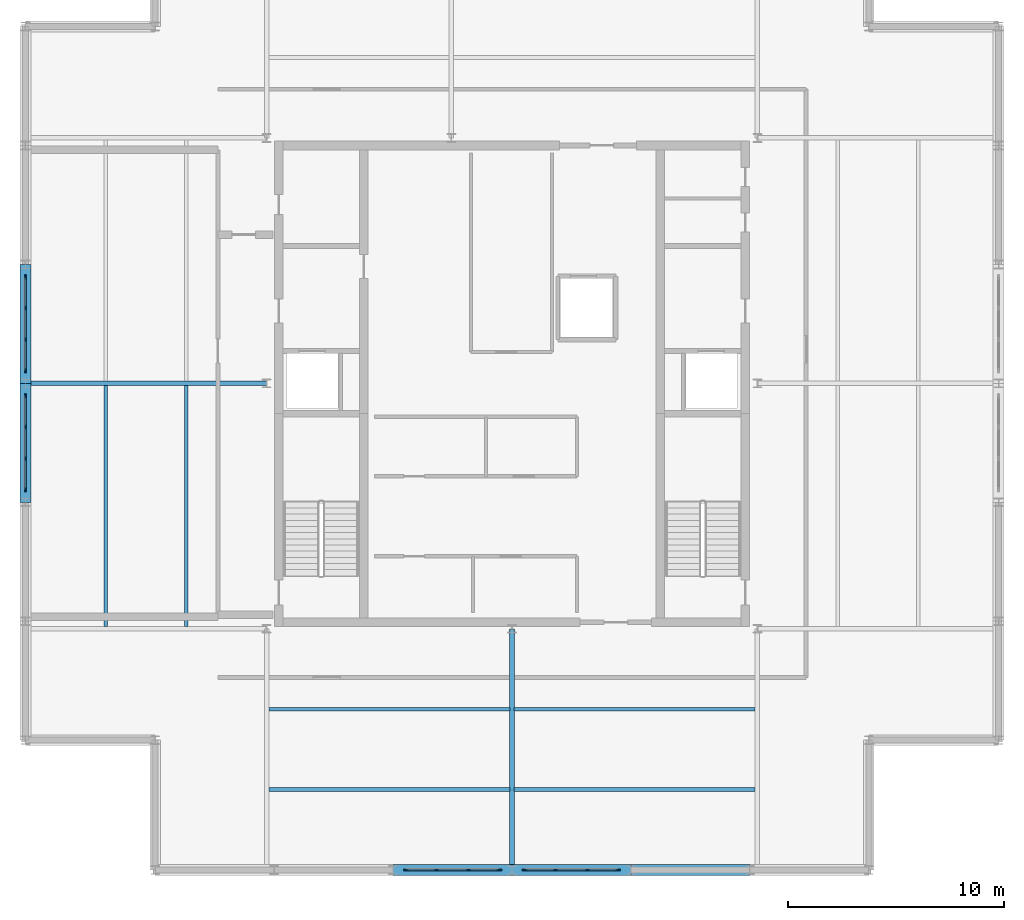
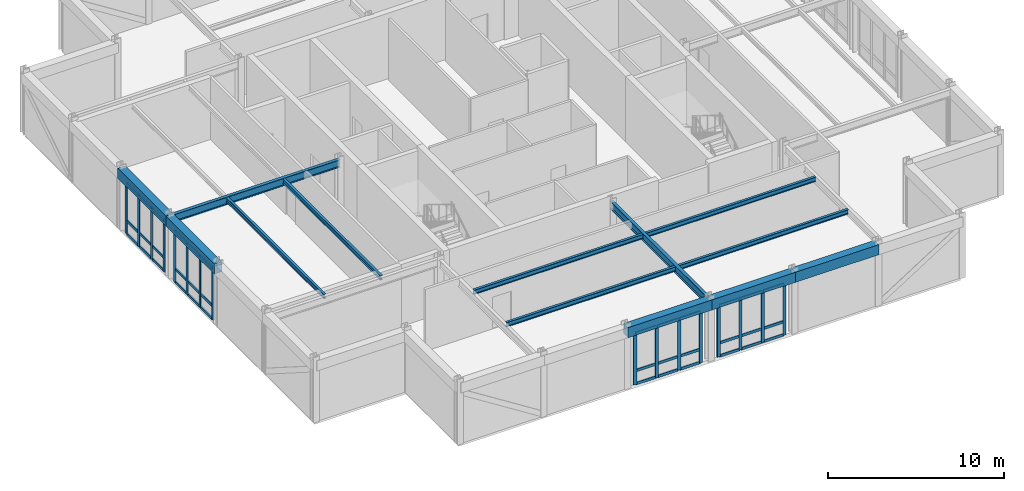
# One storey, part 2 of 9: 52 members, 13 beams, 4 elements without a shape of their own.
"""IFC4 building model written with IfcOpenShell, lengths in metres."""

from ifc_helpers import new_model, si_unit, direction, frame, origin, origin_2d, place, context, subcontext, project, spatial, rectangle, i_section, extrude, material, layer, layer_set, material_profile, profile_set, type_object, element, aggregate, save


model = new_model("IFC4")

# Units and contexts
model_context = context("Model", 3, precision=1e-05, world=origin(), true_north=direction((0.0, 1.0)))
body_context = subcontext(model_context, "Body", "Model", "MODEL_VIEW")
ifc_project = project(units=[si_unit("LENGTHUNIT", "METRE"), si_unit("AREAUNIT", "SQUARE_METRE"), si_unit("VOLUMEUNIT", "CUBIC_METRE"), si_unit("PLANEANGLEUNIT", "RADIAN"), si_unit("MASSUNIT", "GRAM", prefix="KILO")], contexts=[model_context])

# Site, building, storey
site_placement = place(None, origin())
site = spatial("IfcSite", under=ifc_project, at=site_placement, CompositionType="ELEMENT")
building_placement = place(site_placement, origin())
building = spatial("IfcBuilding", under=site, at=building_placement, Name="Nhamokura Convention Tower", CompositionType="ELEMENT")
storey_placement = place(building_placement, frame((0.0, 0.0, 317.800048828125)))
storey = spatial("IfcBuildingStorey", under=building, at=storey_placement, Name="L78", CompositionType="ELEMENT", Elevation=317.800048828125)

# Curtain wall, members
ifc_material_1 = material(Name="Anodised bronze aluminium AA6063-T6", Category="aluminium")
ifc_layer = layer(ifc_material_1, 0.2099609375)
ifc_layer_set = layer_set([ifc_layer], Name="CWSystem_SlantedCrown")
curtain_wall_type = type_object("IfcCurtainWallType", Name="CWSystem_SlantedCrown", PredefinedType="NOTDEFINED", material=ifc_layer_set)
curtain_wall_1_placement = place(storey_placement, origin())
curtain_wall_1 = element("IfcCurtainWall", 1, at=curtain_wall_1_placement, inside=storey, type_object=curtain_wall_type, Name="L78 Curtain Wall ENV-L78-CRCW-S2", PredefinedType="NOTDEFINED")
ifc_material_2 = material(Name="Anodised bronze aluminium AA6063-T6", Category="aluminium")
ifc_material_profile_1 = material_profile(ifc_material_2, rectangle(XDim=0.080078125, YDim=0.2099609375, at=origin_2d()))
ifc_profile_set_1 = profile_set([ifc_material_profile_1], Name="Anodised bronze aluminium AA6063-T6")
member_type_1 = type_object("IfcMemberType", Name="CWMullion_4", PredefinedType="MULLION", material=ifc_profile_set_1)
member_1_placement = place(storey_placement, frame((31.409912109375, 9.5, 0.0), z_axis=(0.0, 0.0, 1.0), x_axis=(0.0, -1.0, 0.0)))
member_1 = element("IfcMember", 2, at=member_1_placement, type_object=member_type_1, Name="CW-07 mullion 1", PredefinedType="MULLION", context=body_context, shape_type="SweptSolid", body=[
    extrude(rectangle(XDim=0.080078125, YDim=0.2099609375, at=origin_2d()), origin(), (0.0, 0.0, 1.0), 3.570068359375),
])
member_2_placement = place(storey_placement, frame((29.9833984375, 9.5, 0.0), z_axis=(0.0, 0.0, 1.0), x_axis=(0.0, -1.0, 0.0)))
member_2 = element("IfcMember", 3, at=member_2_placement, type_object=member_type_1, Name="CW-07 mullion 2", PredefinedType="MULLION", context=body_context, shape_type="SweptSolid", body=[
    extrude(rectangle(XDim=0.080078125, YDim=0.2099609375, at=origin_2d()), origin(), (0.0, 0.0, 1.0), 3.570068359375),
])
member_3_placement = place(storey_placement, frame((28.5166015625, 9.5, 0.0), z_axis=(0.0, 0.0, 1.0), x_axis=(0.0, -1.0, 0.0)))
member_3 = element("IfcMember", 4, at=member_3_placement, type_object=member_type_1, Name="CW-07 mullion 3", PredefinedType="MULLION", context=body_context, shape_type="SweptSolid", body=[
    extrude(rectangle(XDim=0.080078125, YDim=0.2099609375, at=origin_2d()), origin(), (0.0, 0.0, 1.0), 3.570068359375),
])
member_4_placement = place(storey_placement, frame((27.090087890625, 9.5, 0.0), z_axis=(0.0, 0.0, 1.0), x_axis=(0.0, -1.0, 0.0)))
member_4 = element("IfcMember", 5, at=member_4_placement, type_object=member_type_1, Name="CW-07 mullion 4", PredefinedType="MULLION", context=body_context, shape_type="SweptSolid", body=[
    extrude(rectangle(XDim=0.080078125, YDim=0.2099609375, at=origin_2d()), origin(), (0.0, 0.0, 1.0), 3.570068359375),
])

curtain_wall_2_placement = place(storey_placement, origin())
curtain_wall_2 = element("IfcCurtainWall", 6, at=curtain_wall_2_placement, inside=storey, type_object=curtain_wall_type, Name="L78 Curtain Wall ENV-L78-CRCW-S3", PredefinedType="NOTDEFINED")
member_5_placement = place(storey_placement, frame((36.909912109375, 9.5, 0.0), z_axis=(0.0, 0.0, 1.0), x_axis=(0.0, -1.0, 0.0)))
member_5 = element("IfcMember", 7, at=member_5_placement, type_object=member_type_1, Name="CW-07 mullion 1", PredefinedType="MULLION", context=body_context, shape_type="SweptSolid", body=[
    extrude(rectangle(XDim=0.080078125, YDim=0.2099609375, at=origin_2d()), origin(), (0.0, 0.0, 1.0), 3.570068359375),
])
member_6_placement = place(storey_placement, frame((35.4833984375, 9.5, 0.0), z_axis=(0.0, 0.0, 1.0), x_axis=(0.0, -1.0, 0.0)))
member_6 = element("IfcMember", 8, at=member_6_placement, type_object=member_type_1, Name="CW-07 mullion 2", PredefinedType="MULLION", context=body_context, shape_type="SweptSolid", body=[
    extrude(rectangle(XDim=0.080078125, YDim=0.2099609375, at=origin_2d()), origin(), (0.0, 0.0, 1.0), 3.570068359375),
])
member_7_placement = place(storey_placement, frame((34.0166015625, 9.5, 0.0), z_axis=(0.0, 0.0, 1.0), x_axis=(0.0, -1.0, 0.0)))
member_7 = element("IfcMember", 9, at=member_7_placement, type_object=member_type_1, Name="CW-07 mullion 3", PredefinedType="MULLION", context=body_context, shape_type="SweptSolid", body=[
    extrude(rectangle(XDim=0.080078125, YDim=0.2099609375, at=origin_2d()), origin(), (0.0, 0.0, 1.0), 3.570068359375),
])
member_8_placement = place(storey_placement, frame((32.590087890625, 9.5, 0.0), z_axis=(0.0, 0.0, 1.0), x_axis=(0.0, -1.0, 0.0)))
member_8 = element("IfcMember", 10, at=member_8_placement, type_object=member_type_1, Name="CW-07 mullion 4", PredefinedType="MULLION", context=body_context, shape_type="SweptSolid", body=[
    extrude(rectangle(XDim=0.080078125, YDim=0.2099609375, at=origin_2d()), origin(), (0.0, 0.0, 1.0), 3.570068359375),
])

curtain_wall_3_placement = place(storey_placement, origin())
curtain_wall_3 = element("IfcCurtainWall", 11, at=curtain_wall_3_placement, inside=storey, type_object=curtain_wall_type, Name="L78 Curtain Wall ENV-L78-CRCW-W2", PredefinedType="NOTDEFINED")
member_9_placement = place(storey_placement, frame((9.5, 27.090087890625, 0.0), z_axis=(0.0, 0.0, 1.0), x_axis=(-1.0, 0.0, 0.0)))
member_9 = element("IfcMember", 12, at=member_9_placement, type_object=member_type_1, Name="CW-07 mullion 1", PredefinedType="MULLION", context=body_context, shape_type="SweptSolid", body=[
    extrude(rectangle(XDim=0.080078125, YDim=0.2099609375, at=origin_2d()), origin(), (0.0, 0.0, 1.0), 3.570068359375),
])
member_10_placement = place(storey_placement, frame((9.5, 28.5166015625, 0.0), z_axis=(0.0, 0.0, 1.0), x_axis=(-1.0, 0.0, 0.0)))
member_10 = element("IfcMember", 13, at=member_10_placement, type_object=member_type_1, Name="CW-07 mullion 2", PredefinedType="MULLION", context=body_context, shape_type="SweptSolid", body=[
    extrude(rectangle(XDim=0.080078125, YDim=0.2099609375, at=origin_2d()), origin(), (0.0, 0.0, 1.0), 3.570068359375),
])
member_11_placement = place(storey_placement, frame((9.5, 29.9833984375, 0.0), z_axis=(0.0, 0.0, 1.0), x_axis=(-1.0, 0.0, 0.0)))
member_11 = element("IfcMember", 14, at=member_11_placement, type_object=member_type_1, Name="CW-07 mullion 3", PredefinedType="MULLION", context=body_context, shape_type="SweptSolid", body=[
    extrude(rectangle(XDim=0.080078125, YDim=0.2099609375, at=origin_2d()), origin(), (0.0, 0.0, 1.0), 3.570068359375),
])
member_12_placement = place(storey_placement, frame((9.5, 31.409912109375, 0.0), z_axis=(0.0, 0.0, 1.0), x_axis=(-1.0, 0.0, 0.0)))
member_12 = element("IfcMember", 15, at=member_12_placement, type_object=member_type_1, Name="CW-07 mullion 4", PredefinedType="MULLION", context=body_context, shape_type="SweptSolid", body=[
    extrude(rectangle(XDim=0.080078125, YDim=0.2099609375, at=origin_2d()), origin(), (0.0, 0.0, 1.0), 3.570068359375),
])

curtain_wall_4_placement = place(storey_placement, origin())
curtain_wall_4 = element("IfcCurtainWall", 16, at=curtain_wall_4_placement, inside=storey, type_object=curtain_wall_type, Name="L78 Curtain Wall ENV-L78-CRCW-W3", PredefinedType="NOTDEFINED")
member_13_placement = place(storey_placement, frame((9.5, 32.590087890625, 0.0), z_axis=(0.0, 0.0, 1.0), x_axis=(-1.0, 0.0, 0.0)))
member_13 = element("IfcMember", 17, at=member_13_placement, type_object=member_type_1, Name="CW-07 mullion 1", PredefinedType="MULLION", context=body_context, shape_type="SweptSolid", body=[
    extrude(rectangle(XDim=0.080078125, YDim=0.2099609375, at=origin_2d()), origin(), (0.0, 0.0, 1.0), 3.570068359375),
])
member_14_placement = place(storey_placement, frame((9.5, 34.0166015625, 0.0), z_axis=(0.0, 0.0, 1.0), x_axis=(-1.0, 0.0, 0.0)))
member_14 = element("IfcMember", 18, at=member_14_placement, type_object=member_type_1, Name="CW-07 mullion 2", PredefinedType="MULLION", context=body_context, shape_type="SweptSolid", body=[
    extrude(rectangle(XDim=0.080078125, YDim=0.2099609375, at=origin_2d()), origin(), (0.0, 0.0, 1.0), 3.570068359375),
])
member_15_placement = place(storey_placement, frame((9.5, 35.4833984375, 0.0), z_axis=(0.0, 0.0, 1.0), x_axis=(-1.0, 0.0, 0.0)))
member_15 = element("IfcMember", 19, at=member_15_placement, type_object=member_type_1, Name="CW-07 mullion 3", PredefinedType="MULLION", context=body_context, shape_type="SweptSolid", body=[
    extrude(rectangle(XDim=0.080078125, YDim=0.2099609375, at=origin_2d()), origin(), (0.0, 0.0, 1.0), 3.570068359375),
])
member_16_placement = place(storey_placement, frame((9.5, 36.909912109375, 0.0), z_axis=(0.0, 0.0, 1.0), x_axis=(-1.0, 0.0, 0.0)))
member_16 = element("IfcMember", 20, at=member_16_placement, type_object=member_type_1, Name="CW-07 mullion 4", PredefinedType="MULLION", context=body_context, shape_type="SweptSolid", body=[
    extrude(rectangle(XDim=0.080078125, YDim=0.2099609375, at=origin_2d()), origin(), (0.0, 0.0, 1.0), 3.570068359375),
])

# Member
ifc_material_3 = material(Name="Anodised bronze aluminium AA6063-T6", Category="aluminium")
ifc_material_profile_2 = material_profile(ifc_material_3, rectangle(XDim=0.080078125, YDim=0.18505859375, at=origin_2d()))
ifc_profile_set_2 = profile_set([ifc_material_profile_2], Name="Anodised bronze aluminium AA6063-T6")
member_type_2 = type_object("IfcMemberType", Name="CWTransom_4", PredefinedType="USERDEFINED", material=ifc_profile_set_2)
member_17_placement = place(storey_placement, frame((31.3701171875, 9.5, 0.0400390625), z_axis=(-1.0, 0.0, 0.0), x_axis=(0.0, -1.0, 0.0)))
member_17 = element("IfcMember", 21, at=member_17_placement, type_object=member_type_2, Name="CW-07 transom 1.1", ObjectType="TRANSOM", PredefinedType="USERDEFINED", context=body_context, shape_type="SweptSolid", body=[
    extrude(rectangle(XDim=0.080078125, YDim=0.18505859375, at=origin_2d()), origin(), (0.0, 0.0, 1.0), 1.3466796875),
])

member_18_placement = place(storey_placement, frame((31.3701171875, 9.5, 0.949951171875), z_axis=(-1.0, 0.0, 0.0), x_axis=(0.0, -1.0, 0.0)))
member_18 = element("IfcMember", 22, at=member_18_placement, type_object=member_type_2, Name="CW-07 transom 1.2", ObjectType="TRANSOM", PredefinedType="USERDEFINED", context=body_context, shape_type="SweptSolid", body=[
    extrude(rectangle(XDim=0.080078125, YDim=0.18505859375, at=origin_2d()), origin(), (0.0, 0.0, 1.0), 1.3466796875),
])

member_19_placement = place(storey_placement, frame((31.3701171875, 9.5, 3.530029296875), z_axis=(-1.0, 0.0, 0.0), x_axis=(0.0, -1.0, 0.0)))
member_19 = element("IfcMember", 23, at=member_19_placement, type_object=member_type_2, Name="CW-07 transom 1.3", ObjectType="TRANSOM", PredefinedType="USERDEFINED", context=body_context, shape_type="SweptSolid", body=[
    extrude(rectangle(XDim=0.080078125, YDim=0.18505859375, at=origin_2d()), origin(), (0.0, 0.0, 1.0), 1.3466796875),
])

member_20_placement = place(storey_placement, frame((29.943359375, 9.5, 0.0400390625), z_axis=(-1.0, 0.0, 0.0), x_axis=(0.0, -1.0, 0.0)))
member_20 = element("IfcMember", 24, at=member_20_placement, type_object=member_type_2, Name="CW-07 transom 2.1", ObjectType="TRANSOM", PredefinedType="USERDEFINED", context=body_context, shape_type="SweptSolid", body=[
    extrude(rectangle(XDim=0.080078125, YDim=0.18505859375, at=origin_2d()), origin(), (0.0, 0.0, 1.0), 1.38671875),
])

member_21_placement = place(storey_placement, frame((29.943359375, 9.5, 0.949951171875), z_axis=(-1.0, 0.0, 0.0), x_axis=(0.0, -1.0, 0.0)))
member_21 = element("IfcMember", 25, at=member_21_placement, type_object=member_type_2, Name="CW-07 transom 2.2", ObjectType="TRANSOM", PredefinedType="USERDEFINED", context=body_context, shape_type="SweptSolid", body=[
    extrude(rectangle(XDim=0.080078125, YDim=0.18505859375, at=origin_2d()), origin(), (0.0, 0.0, 1.0), 1.38671875),
])

member_22_placement = place(storey_placement, frame((29.943359375, 9.5, 3.530029296875), z_axis=(-1.0, 0.0, 0.0), x_axis=(0.0, -1.0, 0.0)))
member_22 = element("IfcMember", 26, at=member_22_placement, type_object=member_type_2, Name="CW-07 transom 2.3", ObjectType="TRANSOM", PredefinedType="USERDEFINED", context=body_context, shape_type="SweptSolid", body=[
    extrude(rectangle(XDim=0.080078125, YDim=0.18505859375, at=origin_2d()), origin(), (0.0, 0.0, 1.0), 1.38671875),
])

member_23_placement = place(storey_placement, frame((28.4765625, 9.5, 0.0400390625), z_axis=(-1.0, 0.0, 0.0), x_axis=(0.0, -1.0, 0.0)))
member_23 = element("IfcMember", 27, at=member_23_placement, type_object=member_type_2, Name="CW-07 transom 3.1", ObjectType="TRANSOM", PredefinedType="USERDEFINED", context=body_context, shape_type="SweptSolid", body=[
    extrude(rectangle(XDim=0.080078125, YDim=0.18505859375, at=origin_2d()), origin(), (0.0, 0.0, 1.0), 1.3466796875),
])

member_24_placement = place(storey_placement, frame((28.4765625, 9.5, 0.949951171875), z_axis=(-1.0, 0.0, 0.0), x_axis=(0.0, -1.0, 0.0)))
member_24 = element("IfcMember", 28, at=member_24_placement, type_object=member_type_2, Name="CW-07 transom 3.2", ObjectType="TRANSOM", PredefinedType="USERDEFINED", context=body_context, shape_type="SweptSolid", body=[
    extrude(rectangle(XDim=0.080078125, YDim=0.18505859375, at=origin_2d()), origin(), (0.0, 0.0, 1.0), 1.3466796875),
])

member_25_placement = place(storey_placement, frame((28.4765625, 9.5, 3.530029296875), z_axis=(-1.0, 0.0, 0.0), x_axis=(0.0, -1.0, 0.0)))
member_25 = element("IfcMember", 29, at=member_25_placement, type_object=member_type_2, Name="CW-07 transom 3.3", ObjectType="TRANSOM", PredefinedType="USERDEFINED", context=body_context, shape_type="SweptSolid", body=[
    extrude(rectangle(XDim=0.080078125, YDim=0.18505859375, at=origin_2d()), origin(), (0.0, 0.0, 1.0), 1.3466796875),
])

aggregate(curtain_wall_1, [member_1, member_2, member_3, member_4, member_17, member_18, member_19, member_20, member_21, member_22, member_23, member_24, member_25])

member_26_placement = place(storey_placement, frame((36.8701171875, 9.5, 0.0400390625), z_axis=(-1.0, 0.0, 0.0), x_axis=(0.0, -1.0, 0.0)))
member_26 = element("IfcMember", 30, at=member_26_placement, type_object=member_type_2, Name="CW-07 transom 1.1", ObjectType="TRANSOM", PredefinedType="USERDEFINED", context=body_context, shape_type="SweptSolid", body=[
    extrude(rectangle(XDim=0.080078125, YDim=0.18505859375, at=origin_2d()), origin(), (0.0, 0.0, 1.0), 1.3466796875),
])

member_27_placement = place(storey_placement, frame((36.8701171875, 9.5, 0.949951171875), z_axis=(-1.0, 0.0, 0.0), x_axis=(0.0, -1.0, 0.0)))
member_27 = element("IfcMember", 31, at=member_27_placement, type_object=member_type_2, Name="CW-07 transom 1.2", ObjectType="TRANSOM", PredefinedType="USERDEFINED", context=body_context, shape_type="SweptSolid", body=[
    extrude(rectangle(XDim=0.080078125, YDim=0.18505859375, at=origin_2d()), origin(), (0.0, 0.0, 1.0), 1.3466796875),
])

member_28_placement = place(storey_placement, frame((36.8701171875, 9.5, 3.530029296875), z_axis=(-1.0, 0.0, 0.0), x_axis=(0.0, -1.0, 0.0)))
member_28 = element("IfcMember", 32, at=member_28_placement, type_object=member_type_2, Name="CW-07 transom 1.3", ObjectType="TRANSOM", PredefinedType="USERDEFINED", context=body_context, shape_type="SweptSolid", body=[
    extrude(rectangle(XDim=0.080078125, YDim=0.18505859375, at=origin_2d()), origin(), (0.0, 0.0, 1.0), 1.3466796875),
])

member_29_placement = place(storey_placement, frame((35.443359375, 9.5, 0.0400390625), z_axis=(-1.0, 0.0, 0.0), x_axis=(0.0, -1.0, 0.0)))
member_29 = element("IfcMember", 33, at=member_29_placement, type_object=member_type_2, Name="CW-07 transom 2.1", ObjectType="TRANSOM", PredefinedType="USERDEFINED", context=body_context, shape_type="SweptSolid", body=[
    extrude(rectangle(XDim=0.080078125, YDim=0.18505859375, at=origin_2d()), origin(), (0.0, 0.0, 1.0), 1.38671875),
])

member_30_placement = place(storey_placement, frame((35.443359375, 9.5, 0.949951171875), z_axis=(-1.0, 0.0, 0.0), x_axis=(0.0, -1.0, 0.0)))
member_30 = element("IfcMember", 34, at=member_30_placement, type_object=member_type_2, Name="CW-07 transom 2.2", ObjectType="TRANSOM", PredefinedType="USERDEFINED", context=body_context, shape_type="SweptSolid", body=[
    extrude(rectangle(XDim=0.080078125, YDim=0.18505859375, at=origin_2d()), origin(), (0.0, 0.0, 1.0), 1.38671875),
])

member_31_placement = place(storey_placement, frame((35.443359375, 9.5, 3.530029296875), z_axis=(-1.0, 0.0, 0.0), x_axis=(0.0, -1.0, 0.0)))
member_31 = element("IfcMember", 35, at=member_31_placement, type_object=member_type_2, Name="CW-07 transom 2.3", ObjectType="TRANSOM", PredefinedType="USERDEFINED", context=body_context, shape_type="SweptSolid", body=[
    extrude(rectangle(XDim=0.080078125, YDim=0.18505859375, at=origin_2d()), origin(), (0.0, 0.0, 1.0), 1.38671875),
])

member_32_placement = place(storey_placement, frame((33.9765625, 9.5, 0.0400390625), z_axis=(-1.0, 0.0, 0.0), x_axis=(0.0, -1.0, 0.0)))
member_32 = element("IfcMember", 36, at=member_32_placement, type_object=member_type_2, Name="CW-07 transom 3.1", ObjectType="TRANSOM", PredefinedType="USERDEFINED", context=body_context, shape_type="SweptSolid", body=[
    extrude(rectangle(XDim=0.080078125, YDim=0.18505859375, at=origin_2d()), origin(), (0.0, 0.0, 1.0), 1.3466796875),
])

member_33_placement = place(storey_placement, frame((33.9765625, 9.5, 0.949951171875), z_axis=(-1.0, 0.0, 0.0), x_axis=(0.0, -1.0, 0.0)))
member_33 = element("IfcMember", 37, at=member_33_placement, type_object=member_type_2, Name="CW-07 transom 3.2", ObjectType="TRANSOM", PredefinedType="USERDEFINED", context=body_context, shape_type="SweptSolid", body=[
    extrude(rectangle(XDim=0.080078125, YDim=0.18505859375, at=origin_2d()), origin(), (0.0, 0.0, 1.0), 1.3466796875),
])

member_34_placement = place(storey_placement, frame((33.9765625, 9.5, 3.530029296875), z_axis=(-1.0, 0.0, 0.0), x_axis=(0.0, -1.0, 0.0)))
member_34 = element("IfcMember", 38, at=member_34_placement, type_object=member_type_2, Name="CW-07 transom 3.3", ObjectType="TRANSOM", PredefinedType="USERDEFINED", context=body_context, shape_type="SweptSolid", body=[
    extrude(rectangle(XDim=0.080078125, YDim=0.18505859375, at=origin_2d()), origin(), (0.0, 0.0, 1.0), 1.3466796875),
])

aggregate(curtain_wall_2, [member_5, member_6, member_7, member_8, member_26, member_27, member_28, member_29, member_30, member_31, member_32, member_33, member_34])

member_35_placement = place(storey_placement, frame((9.5, 27.1298828125, 0.0400390625), z_axis=(0.0, 1.0, 0.0), x_axis=(-1.0, 0.0, 0.0)))
member_35 = element("IfcMember", 39, at=member_35_placement, type_object=member_type_2, Name="CW-07 transom 1.1", ObjectType="TRANSOM", PredefinedType="USERDEFINED", context=body_context, shape_type="SweptSolid", body=[
    extrude(rectangle(XDim=0.080078125, YDim=0.18505859375, at=origin_2d()), origin(), (0.0, 0.0, 1.0), 1.3466796875),
])

member_36_placement = place(storey_placement, frame((9.5, 27.1298828125, 0.949951171875), z_axis=(0.0, 1.0, 0.0), x_axis=(-1.0, 0.0, 0.0)))
member_36 = element("IfcMember", 40, at=member_36_placement, type_object=member_type_2, Name="CW-07 transom 1.2", ObjectType="TRANSOM", PredefinedType="USERDEFINED", context=body_context, shape_type="SweptSolid", body=[
    extrude(rectangle(XDim=0.080078125, YDim=0.18505859375, at=origin_2d()), origin(), (0.0, 0.0, 1.0), 1.3466796875),
])

member_37_placement = place(storey_placement, frame((9.5, 27.1298828125, 3.530029296875), z_axis=(0.0, 1.0, 0.0), x_axis=(-1.0, 0.0, 0.0)))
member_37 = element("IfcMember", 41, at=member_37_placement, type_object=member_type_2, Name="CW-07 transom 1.3", ObjectType="TRANSOM", PredefinedType="USERDEFINED", context=body_context, shape_type="SweptSolid", body=[
    extrude(rectangle(XDim=0.080078125, YDim=0.18505859375, at=origin_2d()), origin(), (0.0, 0.0, 1.0), 1.3466796875),
])

member_38_placement = place(storey_placement, frame((9.5, 28.556640625, 0.0400390625), z_axis=(0.0, 1.0, 0.0), x_axis=(-1.0, 0.0, 0.0)))
member_38 = element("IfcMember", 42, at=member_38_placement, type_object=member_type_2, Name="CW-07 transom 2.1", ObjectType="TRANSOM", PredefinedType="USERDEFINED", context=body_context, shape_type="SweptSolid", body=[
    extrude(rectangle(XDim=0.080078125, YDim=0.18505859375, at=origin_2d()), origin(), (0.0, 0.0, 1.0), 1.38671875),
])

member_39_placement = place(storey_placement, frame((9.5, 28.556640625, 0.949951171875), z_axis=(0.0, 1.0, 0.0), x_axis=(-1.0, 0.0, 0.0)))
member_39 = element("IfcMember", 43, at=member_39_placement, type_object=member_type_2, Name="CW-07 transom 2.2", ObjectType="TRANSOM", PredefinedType="USERDEFINED", context=body_context, shape_type="SweptSolid", body=[
    extrude(rectangle(XDim=0.080078125, YDim=0.18505859375, at=origin_2d()), origin(), (0.0, 0.0, 1.0), 1.38671875),
])

member_40_placement = place(storey_placement, frame((9.5, 28.556640625, 3.530029296875), z_axis=(0.0, 1.0, 0.0), x_axis=(-1.0, 0.0, 0.0)))
member_40 = element("IfcMember", 44, at=member_40_placement, type_object=member_type_2, Name="CW-07 transom 2.3", ObjectType="TRANSOM", PredefinedType="USERDEFINED", context=body_context, shape_type="SweptSolid", body=[
    extrude(rectangle(XDim=0.080078125, YDim=0.18505859375, at=origin_2d()), origin(), (0.0, 0.0, 1.0), 1.38671875),
])

member_41_placement = place(storey_placement, frame((9.5, 30.0234375, 0.0400390625), z_axis=(0.0, 1.0, 0.0), x_axis=(-1.0, 0.0, 0.0)))
member_41 = element("IfcMember", 45, at=member_41_placement, type_object=member_type_2, Name="CW-07 transom 3.1", ObjectType="TRANSOM", PredefinedType="USERDEFINED", context=body_context, shape_type="SweptSolid", body=[
    extrude(rectangle(XDim=0.080078125, YDim=0.18505859375, at=origin_2d()), origin(), (0.0, 0.0, 1.0), 1.3466796875),
])

member_42_placement = place(storey_placement, frame((9.5, 30.0234375, 0.949951171875), z_axis=(0.0, 1.0, 0.0), x_axis=(-1.0, 0.0, 0.0)))
member_42 = element("IfcMember", 46, at=member_42_placement, type_object=member_type_2, Name="CW-07 transom 3.2", ObjectType="TRANSOM", PredefinedType="USERDEFINED", context=body_context, shape_type="SweptSolid", body=[
    extrude(rectangle(XDim=0.080078125, YDim=0.18505859375, at=origin_2d()), origin(), (0.0, 0.0, 1.0), 1.3466796875),
])

member_43_placement = place(storey_placement, frame((9.5, 30.0234375, 3.530029296875), z_axis=(0.0, 1.0, 0.0), x_axis=(-1.0, 0.0, 0.0)))
member_43 = element("IfcMember", 47, at=member_43_placement, type_object=member_type_2, Name="CW-07 transom 3.3", ObjectType="TRANSOM", PredefinedType="USERDEFINED", context=body_context, shape_type="SweptSolid", body=[
    extrude(rectangle(XDim=0.080078125, YDim=0.18505859375, at=origin_2d()), origin(), (0.0, 0.0, 1.0), 1.3466796875),
])

aggregate(curtain_wall_3, [member_9, member_10, member_11, member_12, member_35, member_36, member_37, member_38, member_39, member_40, member_41, member_42, member_43])

member_44_placement = place(storey_placement, frame((9.5, 32.6298828125, 0.0400390625), z_axis=(0.0, 1.0, 0.0), x_axis=(-1.0, 0.0, 0.0)))
member_44 = element("IfcMember", 48, at=member_44_placement, type_object=member_type_2, Name="CW-07 transom 1.1", ObjectType="TRANSOM", PredefinedType="USERDEFINED", context=body_context, shape_type="SweptSolid", body=[
    extrude(rectangle(XDim=0.080078125, YDim=0.18505859375, at=origin_2d()), origin(), (0.0, 0.0, 1.0), 1.3466796875),
])

member_45_placement = place(storey_placement, frame((9.5, 32.6298828125, 0.949951171875), z_axis=(0.0, 1.0, 0.0), x_axis=(-1.0, 0.0, 0.0)))
member_45 = element("IfcMember", 49, at=member_45_placement, type_object=member_type_2, Name="CW-07 transom 1.2", ObjectType="TRANSOM", PredefinedType="USERDEFINED", context=body_context, shape_type="SweptSolid", body=[
    extrude(rectangle(XDim=0.080078125, YDim=0.18505859375, at=origin_2d()), origin(), (0.0, 0.0, 1.0), 1.3466796875),
])

member_46_placement = place(storey_placement, frame((9.5, 32.6298828125, 3.530029296875), z_axis=(0.0, 1.0, 0.0), x_axis=(-1.0, 0.0, 0.0)))
member_46 = element("IfcMember", 50, at=member_46_placement, type_object=member_type_2, Name="CW-07 transom 1.3", ObjectType="TRANSOM", PredefinedType="USERDEFINED", context=body_context, shape_type="SweptSolid", body=[
    extrude(rectangle(XDim=0.080078125, YDim=0.18505859375, at=origin_2d()), origin(), (0.0, 0.0, 1.0), 1.3466796875),
])

member_47_placement = place(storey_placement, frame((9.5, 34.056640625, 0.0400390625), z_axis=(0.0, 1.0, 0.0), x_axis=(-1.0, 0.0, 0.0)))
member_47 = element("IfcMember", 51, at=member_47_placement, type_object=member_type_2, Name="CW-07 transom 2.1", ObjectType="TRANSOM", PredefinedType="USERDEFINED", context=body_context, shape_type="SweptSolid", body=[
    extrude(rectangle(XDim=0.080078125, YDim=0.18505859375, at=origin_2d()), origin(), (0.0, 0.0, 1.0), 1.38671875),
])

member_48_placement = place(storey_placement, frame((9.5, 34.056640625, 0.949951171875), z_axis=(0.0, 1.0, 0.0), x_axis=(-1.0, 0.0, 0.0)))
member_48 = element("IfcMember", 52, at=member_48_placement, type_object=member_type_2, Name="CW-07 transom 2.2", ObjectType="TRANSOM", PredefinedType="USERDEFINED", context=body_context, shape_type="SweptSolid", body=[
    extrude(rectangle(XDim=0.080078125, YDim=0.18505859375, at=origin_2d()), origin(), (0.0, 0.0, 1.0), 1.38671875),
])

member_49_placement = place(storey_placement, frame((9.5, 34.056640625, 3.530029296875), z_axis=(0.0, 1.0, 0.0), x_axis=(-1.0, 0.0, 0.0)))
member_49 = element("IfcMember", 53, at=member_49_placement, type_object=member_type_2, Name="CW-07 transom 2.3", ObjectType="TRANSOM", PredefinedType="USERDEFINED", context=body_context, shape_type="SweptSolid", body=[
    extrude(rectangle(XDim=0.080078125, YDim=0.18505859375, at=origin_2d()), origin(), (0.0, 0.0, 1.0), 1.38671875),
])

member_50_placement = place(storey_placement, frame((9.5, 35.5234375, 0.0400390625), z_axis=(0.0, 1.0, 0.0), x_axis=(-1.0, 0.0, 0.0)))
member_50 = element("IfcMember", 54, at=member_50_placement, type_object=member_type_2, Name="CW-07 transom 3.1", ObjectType="TRANSOM", PredefinedType="USERDEFINED", context=body_context, shape_type="SweptSolid", body=[
    extrude(rectangle(XDim=0.080078125, YDim=0.18505859375, at=origin_2d()), origin(), (0.0, 0.0, 1.0), 1.3466796875),
])

member_51_placement = place(storey_placement, frame((9.5, 35.5234375, 0.949951171875), z_axis=(0.0, 1.0, 0.0), x_axis=(-1.0, 0.0, 0.0)))
member_51 = element("IfcMember", 55, at=member_51_placement, type_object=member_type_2, Name="CW-07 transom 3.2", ObjectType="TRANSOM", PredefinedType="USERDEFINED", context=body_context, shape_type="SweptSolid", body=[
    extrude(rectangle(XDim=0.080078125, YDim=0.18505859375, at=origin_2d()), origin(), (0.0, 0.0, 1.0), 1.3466796875),
])

member_52_placement = place(storey_placement, frame((9.5, 35.5234375, 3.530029296875), z_axis=(0.0, 1.0, 0.0), x_axis=(-1.0, 0.0, 0.0)))
member_52 = element("IfcMember", 56, at=member_52_placement, type_object=member_type_2, Name="CW-07 transom 3.3", ObjectType="TRANSOM", PredefinedType="USERDEFINED", context=body_context, shape_type="SweptSolid", body=[
    extrude(rectangle(XDim=0.080078125, YDim=0.18505859375, at=origin_2d()), origin(), (0.0, 0.0, 1.0), 1.3466796875),
])

aggregate(curtain_wall_4, [member_13, member_14, member_15, member_16, member_44, member_45, member_46, member_47, member_48, member_49, member_50, member_51, member_52])

# Beams
ifc_material_4 = material(Name="Steel ASTM A992 Gr 50", Category="steel")
ifc_material_profile_3 = material_profile(ifc_material_4, i_section(OverallWidth=0.166015625, OverallDepth=0.31298828125, WebThickness=0.006591796875, FlangeThickness=0.01123046875, at=origin_2d()))
ifc_profile_set_3 = profile_set([ifc_material_profile_3], Name="Steel ASTM A992 Gr 50")
beam_type_1 = type_object("IfcBeamType", Name="FloorJoist_W310X45", PredefinedType="JOIST", material=ifc_profile_set_3)
for number, where, z_axis, x_axis, name in (
    (57, (20.75244140625, 13.216796875, 4.133544921875), (1.0, 0.0, 0.0), (0.0, 1.0, 0.0), "L78 Composite Floor Joist S1A"),
    (58, (32.1025390625, 13.216796875, 4.133544921875), (1.0, 0.0, 0.0), (0.0, 1.0, 0.0), "L78 Composite Floor Joist S1B"),
    (59, (20.75244140625, 16.933349609375, 4.133544921875), (1.0, 0.0, 0.0), (0.0, 1.0, 0.0), "L78 Composite Floor Joist S2A"),
    (60, (32.1025390625, 16.933349609375, 4.133544921875), (1.0, 0.0, 0.0), (0.0, 1.0, 0.0), "L78 Composite Floor Joist S2B"),
    (61, (13.216796875, 20.75244140625, 4.133544921875), (0.0, 1.0, 0.0), (-1.0, 0.0, 0.0), "L78 Composite Floor Joist W1A"),
    (62, (16.933349609375, 20.75244140625, 4.133544921875), (0.0, 1.0, 0.0), (-1.0, 0.0, 0.0), "L78 Composite Floor Joist W2A"),
):
    element("IfcBeam", number, at=place(storey_placement, frame(where, z_axis=z_axis, x_axis=x_axis)), inside=storey, type_object=beam_type_1, Name=name, PredefinedType="JOIST", context=body_context, shape_type="SweptSolid", body=[
        extrude(i_section(OverallWidth=0.166015625, OverallDepth=0.31298828125, WebThickness=0.006591796875, FlangeThickness=0.01123046875, at=origin_2d()), origin(), (0.0, 0.0, 1.0), 11.14501953125),
    ])
ifc_material_5 = material(Name="Steel ASTM A992 Gr 50", Category="steel")
ifc_material_profile_4 = material_profile(ifc_material_5, i_section(OverallWidth=0.208984375, OverallDepth=0.532958984375, WebThickness=0.01025390625, FlangeThickness=0.015625, at=origin_2d()))
ifc_profile_set_4 = profile_set([ifc_material_profile_4], Name="Steel ASTM A992 Gr 50")
beam_type_2 = type_object("IfcBeamType", Name="PrimaryGirder_W530X92", PredefinedType="BEAM", material=ifc_profile_set_4)
for number, where, z_axis, x_axis, name in (
    (63, (32.0, 9.5, 4.0234375), (0.0, 1.0, 0.0), (-1.0, 0.0, 0.0), "L78 Primary Floor Girder PG-S2"),
    (64, (9.5, 32.0, 4.0234375), (1.0, 0.0, 0.0), (0.0, 1.0, 0.0), "L78 Primary Floor Girder PG-W2"),
):
    element("IfcBeam", number, at=place(storey_placement, frame(where, z_axis=z_axis, x_axis=x_axis)), inside=storey, type_object=beam_type_2, Name=name, PredefinedType="BEAM", context=body_context, shape_type="SweptSolid", body=[
        extrude(i_section(OverallWidth=0.208984375, OverallDepth=0.532958984375, WebThickness=0.01025390625, FlangeThickness=0.015625, at=origin_2d()), origin(), (0.0, 0.0, 1.0), 11.14990234375),
    ])
ifc_material_6 = material(Name="Concrete C50/60", Category="concrete")
ifc_material_profile_5 = material_profile(ifc_material_6, rectangle(XDim=0.5, YDim=0.699951171875, at=origin_2d()))
ifc_profile_set_5 = profile_set([ifc_material_profile_5], Name="Concrete C50/60")
beam_type_3 = type_object("IfcBeamType", Name="TubeSpandrel_700", PredefinedType="SPANDREL", material=ifc_profile_set_5)
for number, where, z_axis, x_axis, name in (
    (65, (26.5, 9.5, 3.93994140625), (1.0, 0.0, 0.0), (0.0, 1.0, 0.0), "L78 Perimeter Spandrel SOUTH 3"),
    (66, (32.0, 9.5, 3.93994140625), (1.0, 0.0, 0.0), (0.0, 1.0, 0.0), "L78 Perimeter Spandrel SOUTH 4"),
    (67, (37.5, 9.5, 3.93994140625), (1.0, 0.0, 0.0), (0.0, 1.0, 0.0), "L78 Perimeter Spandrel SOUTH 5"),
    (68, (9.5, 26.5, 3.93994140625), (0.0, 1.0, 0.0), (-1.0, 0.0, 0.0), "L78 Perimeter Spandrel WEST 3"),
    (69, (9.5, 32.0, 3.93994140625), (0.0, 1.0, 0.0), (-1.0, 0.0, 0.0), "L78 Perimeter Spandrel WEST 4"),
):
    element("IfcBeam", number, at=place(storey_placement, frame(where, z_axis=z_axis, x_axis=x_axis)), inside=storey, type_object=beam_type_3, Name=name, PredefinedType="SPANDREL", context=body_context, shape_type="SweptSolid", body=[
        extrude(rectangle(XDim=0.5, YDim=0.699951171875, at=origin_2d()), origin(), (0.0, 0.0, 1.0), 5.5),
    ])

save(model, "model.ifc")
